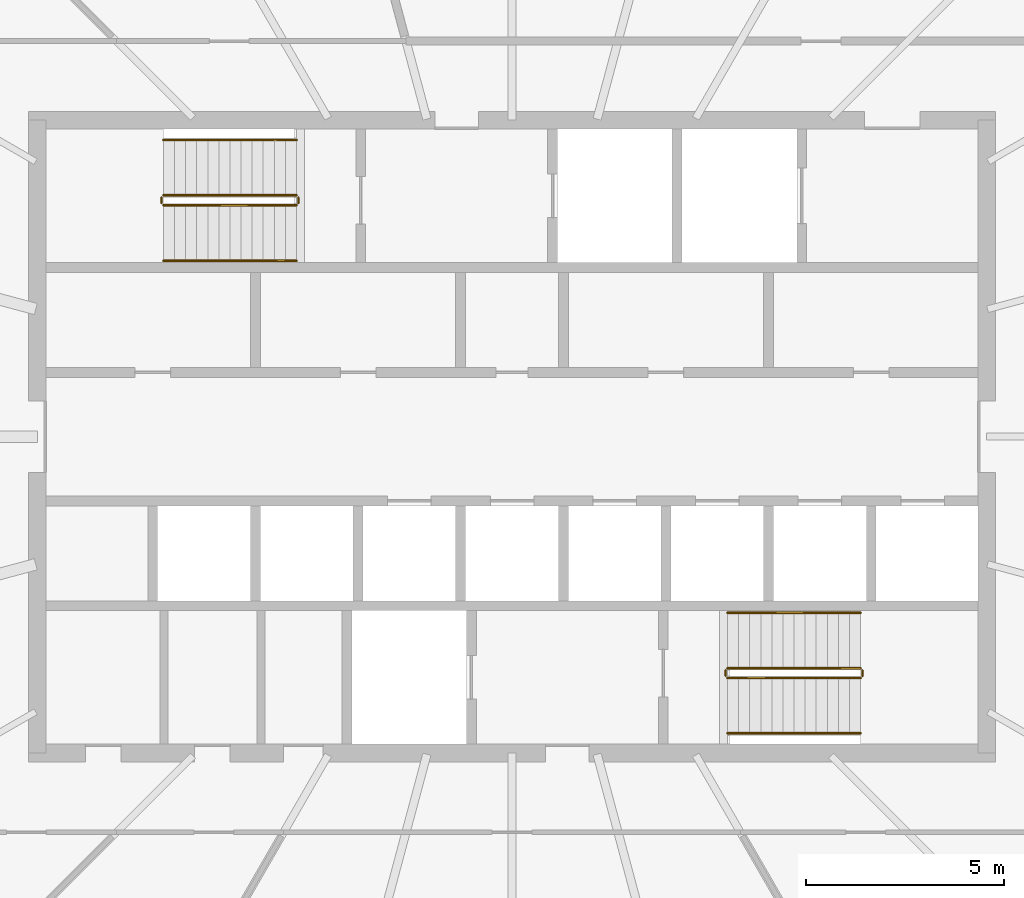
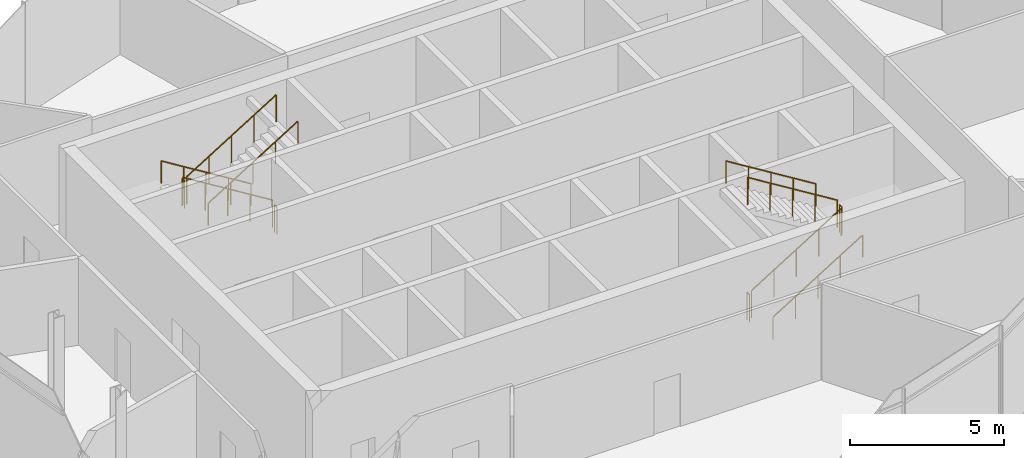
# One storey, part 30 of 31: 12 railings.
"""IFC4 building model written with IfcOpenShell, lengths in metres."""

from ifc_helpers import new_model, si_unit, direction, frame, origin, origin_2d, place, context, subcontext, project, spatial, circle, extrude, material, type_object, element, save


model = new_model("IFC4")

# Units and contexts
model_context = context("Model", 3, precision=1e-05, world=origin(), true_north=direction((0.0, 1.0)))
body_context = subcontext(model_context, "Body", "Model", "MODEL_VIEW")
ifc_project = project(units=[si_unit("LENGTHUNIT", "METRE"), si_unit("AREAUNIT", "SQUARE_METRE"), si_unit("VOLUMEUNIT", "CUBIC_METRE"), si_unit("PLANEANGLEUNIT", "RADIAN"), si_unit("MASSUNIT", "GRAM", prefix="KILO")], contexts=[model_context])

# Site, building, storey
site_placement = place(None, origin())
site = spatial("IfcSite", under=ifc_project, at=site_placement, CompositionType="ELEMENT")
building_placement = place(site_placement, origin())
building = spatial("IfcBuilding", under=site, at=building_placement, Name="Rimbun Link Towers", CompositionType="ELEMENT")
storey_placement = place(building_placement, frame((0.0, 0.0, 263.10009765625)))
storey = spatial("IfcBuildingStorey", under=building, at=storey_placement, Name="L64", CompositionType="ELEMENT", Elevation=263.10009765625)

# Railings
ifc_material_1 = material(Name="Stainless steel grade 316", Category="steel")
railing_type_1 = type_object("IfcRailingType", Name="Stair guard", PredefinedType="GUARDRAIL", material=ifc_material_1)
railing_1_placement = place(storey_placement, frame((-37.199951171875, 6.10009765625, 0.173095703125)))
element("IfcRailing", 1, at=railing_1_placement, inside=storey, type_object=railing_type_1, Name="L64 ST1 stair guard 1", PredefinedType="GUARDRAIL", context=body_context, shape_type="SweptSolid", body=[
    extrude(circle(Radius=0.02392578125, at=origin_2d()), frame((0.0, 0.0, 1.076171875), z_axis=(-0.850623216509, 0.0, 0.525775754039), x_axis=(0.0, -1.0, 0.0)), (0.0, 0.0, 1.0), 3.9501953125),
    extrude(circle(Radius=0.02099609375, at=origin_2d()), origin(), (0.0, 0.0, 1.0), 1.052001953125),
    extrude(circle(Radius=0.02099609375, at=origin_2d()), frame((-0.840087890625, 0.0, 0.519287109375)), (0.0, 0.0, 1.0), 1.052001953125),
    extrude(circle(Radius=0.02099609375, at=origin_2d()), frame((-1.68017578125, 0.0, 1.03857421875)), (0.0, 0.0, 1.0), 1.052001953125),
    extrude(circle(Radius=0.02099609375, at=origin_2d()), frame((-2.52001953125, 0.0, 1.5576171875)), (0.0, 0.0, 1.0), 1.052001953125),
    extrude(circle(Radius=0.02099609375, at=origin_2d()), frame((-3.360107421875, 0.0, 2.076904296875)), (0.0, 0.0, 1.0), 1.052001953125),
])
railing_2_placement = place(storey_placement, frame((-40.610107421875, 6.050048828125, 2.25)))
element("IfcRailing", 2, at=railing_2_placement, inside=storey, type_object=railing_type_1, Name="L64 ST1 stair guard 2", PredefinedType="GUARDRAIL", context=body_context, shape_type="SweptSolid", body=[
    extrude(circle(Radius=0.02392578125, at=origin_2d()), frame((0.0, 0.0, 1.076171875), z_axis=(0.0, -1.0, 0.0), x_axis=(1.0, 0.0, 0.0)), (0.0, 0.0, 1.0), 0.150146484375),
    extrude(circle(Radius=0.02099609375, at=origin_2d()), origin(), (0.0, 0.0, 1.0), 1.052001953125),
    extrude(circle(Radius=0.02099609375, at=origin_2d()), frame((0.0, -0.150146484375, 0.0)), (0.0, 0.0, 1.0), 1.052001953125),
])
railing_3_placement = place(storey_placement, frame((-40.56005859375, 5.85009765625, 2.423095703125)))
element("IfcRailing", 3, at=railing_3_placement, inside=storey, type_object=railing_type_1, Name="L64 ST1 stair guard 3", PredefinedType="GUARDRAIL", context=body_context, shape_type="SweptSolid", body=[
    extrude(circle(Radius=0.02392578125, at=origin_2d()), frame((0.0, 0.0, 1.076171875), z_axis=(0.850623216509, 0.0, 0.525775754039), x_axis=(0.0, 1.0, 0.0)), (0.0, 0.0, 1.0), 3.9501953125),
    extrude(circle(Radius=0.02099609375, at=origin_2d()), origin(), (0.0, 0.0, 1.0), 1.052001953125),
    extrude(circle(Radius=0.02099609375, at=origin_2d()), frame((0.840087890625, 0.0, 0.519287109375)), (0.0, 0.0, 1.0), 1.052001953125),
    extrude(circle(Radius=0.02099609375, at=origin_2d()), frame((1.68017578125, 0.0, 1.03857421875)), (0.0, 0.0, 1.0), 1.052001953125),
    extrude(circle(Radius=0.02099609375, at=origin_2d()), frame((2.52001953125, 0.0, 1.5576171875)), (0.0, 0.0, 1.0), 1.052001953125),
    extrude(circle(Radius=0.02099609375, at=origin_2d()), frame((3.360107421875, 0.0, 2.076904296875)), (0.0, 0.0, 1.0), 1.052001953125),
])
railing_4_placement = place(storey_placement, frame((-37.14990234375, 6.050048828125, 0.0)))
element("IfcRailing", 4, at=railing_4_placement, inside=storey, type_object=railing_type_1, Name="L64 ST1 stair guard 4", PredefinedType="GUARDRAIL", context=body_context, shape_type="SweptSolid", body=[
    extrude(circle(Radius=0.02392578125, at=origin_2d()), frame((0.0, 0.0, 1.076171875), z_axis=(0.0, -1.0, 0.0), x_axis=(1.0, 0.0, 0.0)), (0.0, 0.0, 1.0), 0.150146484375),
    extrude(circle(Radius=0.02099609375, at=origin_2d()), origin(), (0.0, 0.0, 1.0), 1.052001953125),
    extrude(circle(Radius=0.02099609375, at=origin_2d()), frame((0.0, -0.150146484375, 0.0)), (0.0, 0.0, 1.0), 1.052001953125),
])
railing_5_placement = place(storey_placement, frame((-26.300048828125, -6.10009765625, 0.173095703125)))
element("IfcRailing", 5, at=railing_5_placement, inside=storey, type_object=railing_type_1, Name="L64 ST2 stair guard 1", PredefinedType="GUARDRAIL", context=body_context, shape_type="SweptSolid", body=[
    extrude(circle(Radius=0.02392578125, at=origin_2d()), frame((0.0, 0.0, 1.076171875), z_axis=(0.850623216509, 0.0, 0.525775754039), x_axis=(0.0, 1.0, 0.0)), (0.0, 0.0, 1.0), 3.9501953125),
    extrude(circle(Radius=0.02099609375, at=origin_2d()), origin(), (0.0, 0.0, 1.0), 1.052001953125),
    extrude(circle(Radius=0.02099609375, at=origin_2d()), frame((0.840087890625, 0.0, 0.519287109375)), (0.0, 0.0, 1.0), 1.052001953125),
    extrude(circle(Radius=0.02099609375, at=origin_2d()), frame((1.68017578125, 0.0, 1.03857421875)), (0.0, 0.0, 1.0), 1.052001953125),
    extrude(circle(Radius=0.02099609375, at=origin_2d()), frame((2.52001953125, 0.0, 1.5576171875)), (0.0, 0.0, 1.0), 1.052001953125),
    extrude(circle(Radius=0.02099609375, at=origin_2d()), frame((3.360107421875, 0.0, 2.076904296875)), (0.0, 0.0, 1.0), 1.052001953125),
])
railing_6_placement = place(storey_placement, frame((-22.889892578125, -6.050048828125, 2.25)))
element("IfcRailing", 6, at=railing_6_placement, inside=storey, type_object=railing_type_1, Name="L64 ST2 stair guard 2", PredefinedType="GUARDRAIL", context=body_context, shape_type="SweptSolid", body=[
    extrude(circle(Radius=0.02392578125, at=origin_2d()), frame((0.0, 0.0, 1.076171875), z_axis=(0.0, 1.0, 0.0), x_axis=(-1.0, 0.0, 0.0)), (0.0, 0.0, 1.0), 0.150146484375),
    extrude(circle(Radius=0.02099609375, at=origin_2d()), origin(), (0.0, 0.0, 1.0), 1.052001953125),
    extrude(circle(Radius=0.02099609375, at=origin_2d()), frame((0.0, 0.150146484375, 0.0)), (0.0, 0.0, 1.0), 1.052001953125),
])
railing_7_placement = place(storey_placement, frame((-22.93994140625, -5.85009765625, 2.423095703125)))
element("IfcRailing", 7, at=railing_7_placement, inside=storey, type_object=railing_type_1, Name="L64 ST2 stair guard 3", PredefinedType="GUARDRAIL", context=body_context, shape_type="SweptSolid", body=[
    extrude(circle(Radius=0.02392578125, at=origin_2d()), frame((0.0, 0.0, 1.076171875), z_axis=(-0.850623216509, 0.0, 0.525775754039), x_axis=(0.0, -1.0, 0.0)), (0.0, 0.0, 1.0), 3.9501953125),
    extrude(circle(Radius=0.02099609375, at=origin_2d()), origin(), (0.0, 0.0, 1.0), 1.052001953125),
    extrude(circle(Radius=0.02099609375, at=origin_2d()), frame((-0.840087890625, 0.0, 0.519287109375)), (0.0, 0.0, 1.0), 1.052001953125),
    extrude(circle(Radius=0.02099609375, at=origin_2d()), frame((-1.68017578125, 0.0, 1.03857421875)), (0.0, 0.0, 1.0), 1.052001953125),
    extrude(circle(Radius=0.02099609375, at=origin_2d()), frame((-2.52001953125, 0.0, 1.5576171875)), (0.0, 0.0, 1.0), 1.052001953125),
    extrude(circle(Radius=0.02099609375, at=origin_2d()), frame((-3.360107421875, 0.0, 2.076904296875)), (0.0, 0.0, 1.0), 1.052001953125),
])
railing_8_placement = place(storey_placement, frame((-26.35009765625, -6.050048828125, 0.0)))
element("IfcRailing", 8, at=railing_8_placement, inside=storey, type_object=railing_type_1, Name="L64 ST2 stair guard 4", PredefinedType="GUARDRAIL", context=body_context, shape_type="SweptSolid", body=[
    extrude(circle(Radius=0.02392578125, at=origin_2d()), frame((0.0, 0.0, 1.076171875), z_axis=(0.0, 1.0, 0.0), x_axis=(-1.0, 0.0, 0.0)), (0.0, 0.0, 1.0), 0.150146484375),
    extrude(circle(Radius=0.02099609375, at=origin_2d()), origin(), (0.0, 0.0, 1.0), 1.052001953125),
    extrude(circle(Radius=0.02099609375, at=origin_2d()), frame((0.0, 0.150146484375, 0.0)), (0.0, 0.0, 1.0), 1.052001953125),
])
ifc_material_2 = material(Name="Stainless steel grade 316", Category="steel")
railing_type_2 = type_object("IfcRailingType", Name="Stair handrail", PredefinedType="HANDRAIL", material=ifc_material_2)
railing_9_placement = place(storey_placement, frame((-37.199951171875, 7.5, 0.173095703125)))
element("IfcRailing", 9, at=railing_9_placement, inside=storey, type_object=railing_type_2, Name="L64 ST1 stair handrail 1", PredefinedType="HANDRAIL", context=body_context, shape_type="SweptSolid", body=[
    extrude(circle(Radius=0.02392578125, at=origin_2d()), frame((0.0, 0.0, 0.8759765625), z_axis=(-0.850623216509, 0.0, 0.525775754039), x_axis=(0.0, -1.0, 0.0)), (0.0, 0.0, 1.0), 3.9501953125),
    extrude(circle(Radius=0.02099609375, at=origin_2d()), origin(), (0.0, 0.0, 1.0), 0.851806640625),
    extrude(circle(Radius=0.02099609375, at=origin_2d()), frame((-0.840087890625, 0.0, 0.519287109375)), (0.0, 0.0, 1.0), 0.851806640625),
    extrude(circle(Radius=0.02099609375, at=origin_2d()), frame((-1.68017578125, 0.0, 1.03857421875)), (0.0, 0.0, 1.0), 0.851806640625),
    extrude(circle(Radius=0.02099609375, at=origin_2d()), frame((-2.52001953125, 0.0, 1.5576171875)), (0.0, 0.0, 1.0), 0.851806640625),
    extrude(circle(Radius=0.02099609375, at=origin_2d()), frame((-3.360107421875, 0.0, 2.076904296875)), (0.0, 0.0, 1.0), 0.851806640625),
])
for number, where, name in (
    (10, (-40.56005859375, 4.449951171875, 2.423095703125), "L64 ST1 stair handrail 2"),
    (11, (-26.300048828125, -7.5, 0.173095703125), "L64 ST2 stair handrail 1"),
):
    element("IfcRailing", number, at=place(storey_placement, frame(where)), inside=storey, type_object=railing_type_2, Name=name, PredefinedType="HANDRAIL", context=body_context, shape_type="SweptSolid", body=[
        extrude(circle(Radius=0.02392578125, at=origin_2d()), frame((0.0, 0.0, 0.8759765625), z_axis=(0.850623216509, 0.0, 0.525775754039), x_axis=(0.0, 1.0, 0.0)), (0.0, 0.0, 1.0), 3.9501953125),
        extrude(circle(Radius=0.02099609375, at=origin_2d()), origin(), (0.0, 0.0, 1.0), 0.851806640625),
        extrude(circle(Radius=0.02099609375, at=origin_2d()), frame((0.840087890625, 0.0, 0.519287109375)), (0.0, 0.0, 1.0), 0.851806640625),
        extrude(circle(Radius=0.02099609375, at=origin_2d()), frame((1.68017578125, 0.0, 1.03857421875)), (0.0, 0.0, 1.0), 0.851806640625),
        extrude(circle(Radius=0.02099609375, at=origin_2d()), frame((2.52001953125, 0.0, 1.5576171875)), (0.0, 0.0, 1.0), 0.851806640625),
        extrude(circle(Radius=0.02099609375, at=origin_2d()), frame((3.360107421875, 0.0, 2.076904296875)), (0.0, 0.0, 1.0), 0.851806640625),
    ])
railing_10_placement = place(storey_placement, frame((-22.93994140625, -4.449951171875, 2.423095703125)))
element("IfcRailing", 12, at=railing_10_placement, inside=storey, type_object=railing_type_2, Name="L64 ST2 stair handrail 2", PredefinedType="HANDRAIL", context=body_context, shape_type="SweptSolid", body=[
    extrude(circle(Radius=0.02392578125, at=origin_2d()), frame((0.0, 0.0, 0.8759765625), z_axis=(-0.850623216509, 0.0, 0.525775754039), x_axis=(0.0, -1.0, 0.0)), (0.0, 0.0, 1.0), 3.9501953125),
    extrude(circle(Radius=0.02099609375, at=origin_2d()), origin(), (0.0, 0.0, 1.0), 0.851806640625),
    extrude(circle(Radius=0.02099609375, at=origin_2d()), frame((-0.840087890625, 0.0, 0.519287109375)), (0.0, 0.0, 1.0), 0.851806640625),
    extrude(circle(Radius=0.02099609375, at=origin_2d()), frame((-1.68017578125, 0.0, 1.03857421875)), (0.0, 0.0, 1.0), 0.851806640625),
    extrude(circle(Radius=0.02099609375, at=origin_2d()), frame((-2.52001953125, 0.0, 1.5576171875)), (0.0, 0.0, 1.0), 0.851806640625),
    extrude(circle(Radius=0.02099609375, at=origin_2d()), frame((-3.360107421875, 0.0, 2.076904296875)), (0.0, 0.0, 1.0), 0.851806640625),
])

save(model, "model.ifc")
